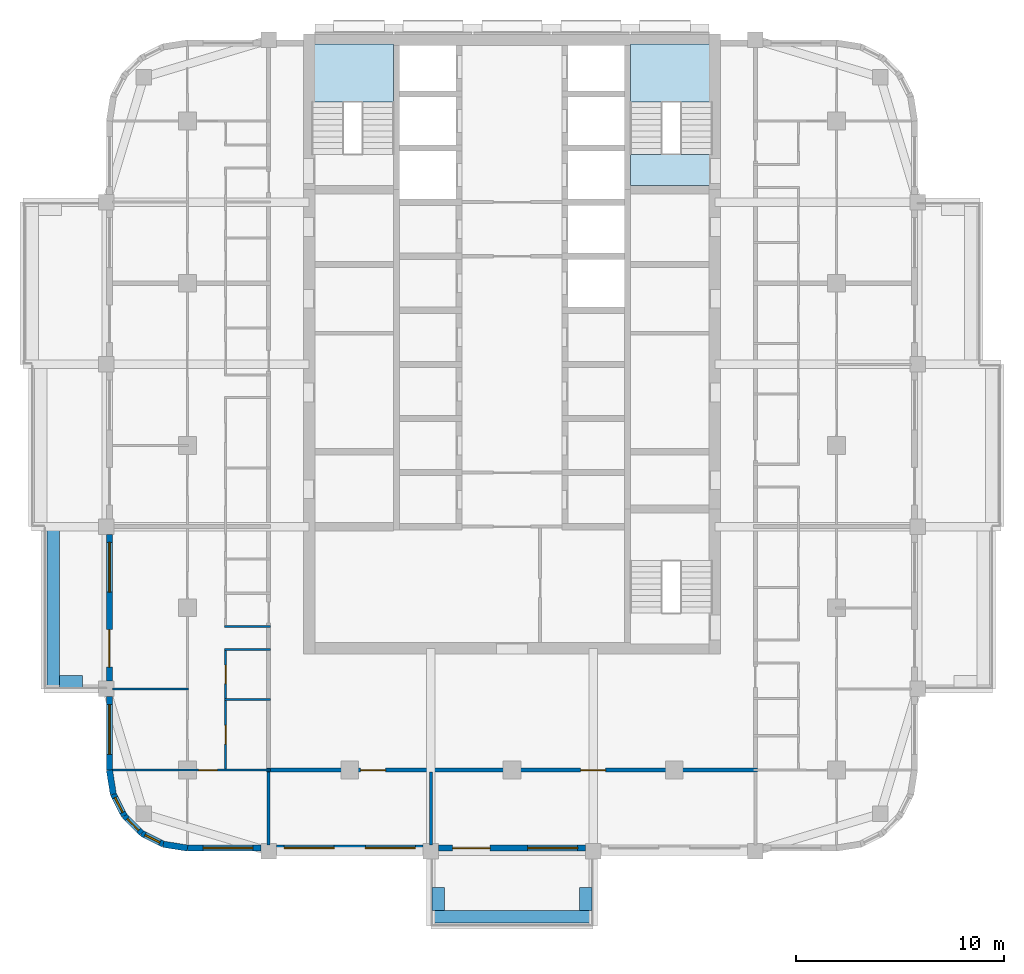
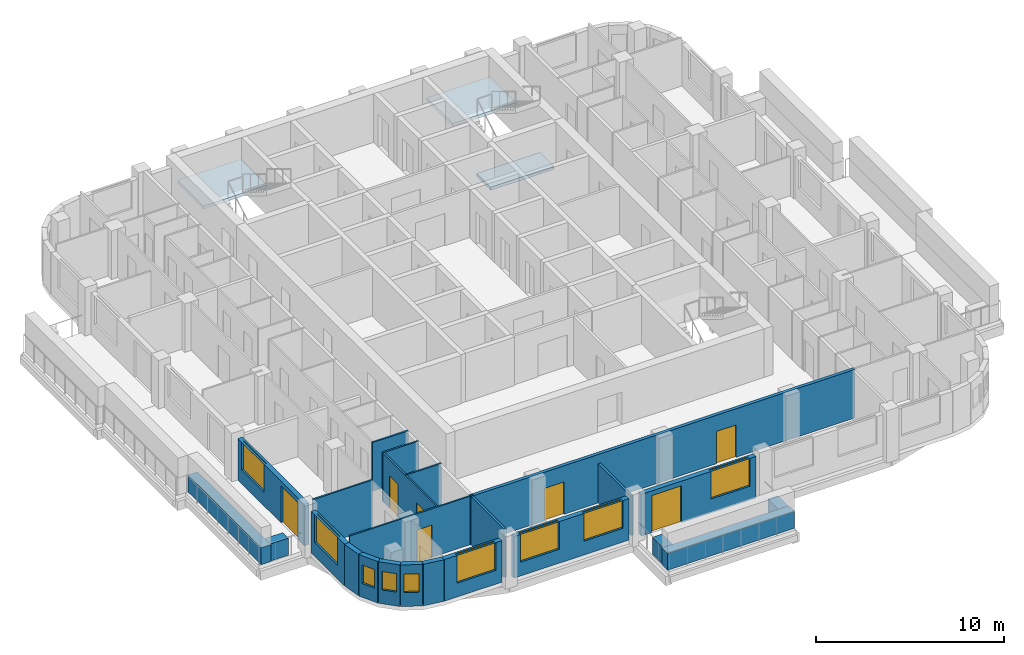
# One storey, part 2 of 13: 24 walls, 9 windows, 7 doors, 3 slabs, 16 openings, 2 elements without a shape of their own.
"""IFC4 building model written with IfcOpenShell, lengths in metres."""

from ifc_helpers import new_model, si_unit, direction, frame, frame_2d, origin, place, context, subcontext, project, spatial, polyline, rectangle, outline, extrude, material, layer, layer_set, type_object, element, fill, aggregate, save


model = new_model("IFC4")

# Units and contexts
model_context = context("Model", 3, precision=1e-05, world=origin(), true_north=direction((0.0, 1.0)))
body_context = subcontext(model_context, "Body", "Model", "MODEL_VIEW")
ifc_project = project(units=[si_unit("LENGTHUNIT", "METRE"), si_unit("AREAUNIT", "SQUARE_METRE"), si_unit("VOLUMEUNIT", "CUBIC_METRE"), si_unit("PLANEANGLEUNIT", "RADIAN"), si_unit("MASSUNIT", "GRAM", prefix="KILO")], contexts=[model_context])

# Site, building, storey
site_placement = place(None, origin())
site = spatial("IfcSite", under=ifc_project, at=site_placement, CompositionType="ELEMENT")
building_placement = place(site_placement, origin())
building = spatial("IfcBuilding", under=site, at=building_placement, Name="Ludao Terraces", CompositionType="ELEMENT")
storey_placement = place(building_placement, frame((0.0, 0.0, 165.60009765625)))
storey = spatial("IfcBuildingStorey", under=building, at=storey_placement, Name="L45", CompositionType="ELEMENT", Elevation=165.60009765625)

# Stair, slab
ifc_material_1 = material(Name="Concrete C40", Category="concrete")
stair_type = type_object("IfcStairType", Name="INT Stair", PredefinedType="HALF_TURN_STAIR", material=ifc_material_1)
stair_1_placement = place(storey_placement, origin())
stair_1 = element("IfcStair", 1, at=stair_1_placement, inside=storey, type_object=stair_type, Name="EXIT STAIR 1", PredefinedType="HALF_TURN_STAIR")
ifc_layer_1 = layer(ifc_material_1, 0.199951171875)
ifc_layer_set_1 = layer_set([ifc_layer_1], Name="INT Stair landing 200")
slab_type = type_object("IfcSlabType", Name="INT Stair landing 200", PredefinedType="LANDING", material=ifc_layer_set_1)
slab_1_placement = place(storey_placement, frame((0.0, 0.0, 1.5)))
slab_1 = element("IfcSlab", 2, at=slab_1_placement, type_object=slab_type, Name="ST1 landing 1", PredefinedType="LANDING", context=body_context, shape_type="SweptSolid", body=[
    extrude(outline(polyline([(75.39990234375, 81.52001953125), (79.300048828125, 81.52001953125), (79.300048828125, 84.300048828125), (75.39990234375, 84.300048828125), (75.39990234375, 81.52001953125)])), origin(), (0.0, 0.0, 1.0), 0.199951171875),
])
aggregate(stair_1, [slab_1])

# Stair, slabs
stair_2_placement = place(storey_placement, origin())
stair_2 = element("IfcStair", 3, at=stair_2_placement, inside=storey, type_object=stair_type, Name="EXIT STAIR 2", PredefinedType="HALF_TURN_STAIR")
slab_2_placement = place(storey_placement, frame((0.0, 0.0, 1.5)))
slab_2 = element("IfcSlab", 4, at=slab_2_placement, type_object=slab_type, Name="ST2 landing 1", PredefinedType="LANDING", context=body_context, shape_type="SweptSolid", body=[
    extrude(outline(polyline([(90.699951171875, 81.52001953125), (94.60009765625, 81.52001953125), (94.60009765625, 84.300048828125), (90.699951171875, 84.300048828125), (90.699951171875, 81.52001953125)])), origin(), (0.0, 0.0, 1.0), 0.199951171875),
])
slab_3_placement = place(storey_placement, frame((0.0, 0.0, -0.2001953125)))
slab_3 = element("IfcSlab", 5, at=slab_3_placement, type_object=slab_type, Name="ST2 landing 2", PredefinedType="LANDING", context=body_context, shape_type="SweptSolid", body=[
    extrude(outline(polyline([(90.699951171875, 77.5), (94.60009765625, 77.5), (94.60009765625, 79.0), (90.699951171875, 79.0), (90.699951171875, 77.5)])), origin(), (0.0, 0.0, 1.0), 0.2001953125),
])
aggregate(stair_2, [slab_2, slab_3])

# Walls
ifc_layer_2 = layer(ifc_material_1, 0.60009765625)
ifc_layer_set_2 = layer_set([ifc_layer_2], Name="ENV Planter trough 600")
wall_type_1 = type_object("IfcWallType", Name="ENV Planter trough 600", PredefinedType="USERDEFINED", material=ifc_layer_set_2)
wall_1_placement = place(storey_placement, frame((81.10009765625, 42.35009765625, 0.0), z_axis=(0.0, 0.0, 1.0), x_axis=(1.0, 0.0, 0.0)))
element("IfcWall", 6, at=wall_1_placement, inside=storey, type_object=wall_type_1, Name="PL-L45-S1", ObjectType="PLANTER", PredefinedType="USERDEFINED", context=body_context, shape_type="SweptSolid", body=[
    extrude(rectangle(XDim=7.7998046875, YDim=0.60009765625, at=frame_2d((3.89990234375, 0.0))), origin(), (0.0, 0.0, 1.0), 1.099853515625),
])
for number, where, z_axis, x_axis, name in (
    (7, (81.449951171875, 42.64990234375, 0.0), (0.0, 0.0, 1.0), (0.0, 1.0, 0.0), "PL-L45-S1-SA"),
    (8, (88.550048828125, 42.64990234375, 0.0), (0.0, 0.0, 1.0), (0.0, 1.0, 0.0), "PL-L45-S1-SB"),
):
    element("IfcWall", number, at=place(storey_placement, frame(where, z_axis=z_axis, x_axis=x_axis)), inside=storey, type_object=wall_type_1, Name=name, ObjectType="PLANTER", PredefinedType="USERDEFINED", context=body_context, shape_type="SweptSolid", body=[
        extrude(rectangle(XDim=1.10009765625, YDim=0.60009765625, at=frame_2d((0.550048828125, 0.0))), origin(), (0.0, 0.0, 1.0), 1.099853515625),
    ])
wall_2_placement = place(storey_placement, frame((62.949951171875, 53.300048828125, 0.0), z_axis=(0.0, 0.0, 1.0), x_axis=(0.0, 1.0, 0.0)))
element("IfcWall", 9, at=wall_2_placement, inside=storey, type_object=wall_type_1, Name="PL-L45-W1", ObjectType="PLANTER", PredefinedType="USERDEFINED", context=body_context, shape_type="SweptSolid", body=[
    extrude(rectangle(XDim=7.800048828125, YDim=0.60009765625, at=frame_2d((3.89990234375, 0.0))), origin(), (0.0, 0.0, 1.0), 1.099853515625),
])
wall_3_placement = place(storey_placement, frame((63.25, 53.64990234375, 0.0), z_axis=(0.0, 0.0, 1.0), x_axis=(1.0, 0.0, 0.0)))
element("IfcWall", 10, at=wall_3_placement, inside=storey, type_object=wall_type_1, Name="PL-L45-W1-SA", ObjectType="PLANTER", PredefinedType="USERDEFINED", context=body_context, shape_type="SweptSolid", body=[
    extrude(rectangle(XDim=1.10009765625, YDim=0.60009765625, at=frame_2d((0.550048828125, 0.0))), origin(), (0.0, 0.0, 1.0), 1.099853515625),
])

# Wall, opening, window
ifc_material_2 = material(Name="Granite cladding", Category="masonry")
ifc_layer_3 = layer(ifc_material_2, 0.0400390625, Category="stone")
ifc_material_3 = material(Name="Mineral wool")
ifc_layer_4 = layer(ifc_material_3, 0.06005859375)
ifc_layer_5 = layer(ifc_material_1, 0.199951171875, Category="concrete")
ifc_layer_set_3 = layer_set([ifc_layer_3, ifc_layer_4, ifc_layer_5], Name="ENV Stone-clad wall 300")
wall_type_2 = type_object("IfcWallType", Name="ENV Stone-clad wall 300", PredefinedType="SOLIDWALL", material=ifc_layer_set_3)
wall_4_placement = place(storey_placement, frame((69.39990234375, 45.64990234375, 0.0), z_axis=(0.0, 0.0, 1.0), x_axis=(1.0, 0.0, 0.0)))
wall_4 = element("IfcWall", 11, at=wall_4_placement, inside=storey, type_object=wall_type_2, Name="EW-L45-S1", PredefinedType="SOLIDWALL", context=body_context, shape_type="SweptSolid", body=[
    extrude(rectangle(XDim=3.525146484375, YDim=0.300048828125, at=frame_2d((1.7626953125, 0.0))), origin(), (0.0, 0.0, 1.0), 2.699951171875),
])
opening_1_placement = place(wall_4_placement, frame((0.75, 0.0, 0.89990234375)))
opening_1 = element("IfcOpeningElement", 12, at=opening_1_placement, cuts=wall_4, Name="Opening W1", PredefinedType="OPENING", context=body_context, shape_type="SweptSolid", body=[
    extrude(rectangle(XDim=2.39990234375, YDim=1.800048828125, at=frame_2d((1.199951171875, 0.89990234375))), frame((0.0, 0.16015625, 0.0), z_axis=(0.0, -1.0, 0.0), x_axis=(1.0, 0.0, 0.0)), (0.0, 0.0, 1.0), 0.320068359375),
])
ifc_material_4 = material(Name="Clear glass in aluminium frame", Category="aluminium")
ifc_layer_6 = layer(ifc_material_4, 0.06005859375)
ifc_layer_set_4 = layer_set([ifc_layer_6], Name="ENV Window W1 2400x1800")
window_type_1 = type_object("IfcWindowType", Name="ENV Window W1 2400x1800", PartitioningType="DOUBLE_PANEL_VERTICAL", PredefinedType="WINDOW", material=ifc_layer_set_4)
window_1_placement = place(opening_1_placement, origin())
window_1 = element("IfcWindow", 13, at=window_1_placement, inside=storey, type_object=window_type_1, Name="W-L45-S1-1", OverallHeight=1.800048828125, OverallWidth=2.39990234375, PartitioningType="DOUBLE_PANEL_VERTICAL", PredefinedType="WINDOW", context=body_context, shape_type="SweptSolid", body=[
    extrude(rectangle(XDim=2.39990234375, YDim=1.800048828125, at=frame_2d((1.199951171875, 0.89990234375))), frame((0.0, 0.030029296875, 0.0), z_axis=(0.0, -1.0, 0.0), x_axis=(1.0, 0.0, 0.0)), (0.0, 0.0, 1.0), 0.06005859375),
])
fill(opening_1, window_1)

# Wall, openings, windows
wall_5_placement = place(storey_placement, frame((73.675048828125, 45.64990234375, 0.0), z_axis=(0.0, 0.0, 1.0), x_axis=(1.0, 0.0, 0.0)))
wall_5 = element("IfcWall", 14, at=wall_5_placement, inside=storey, type_object=wall_type_2, Name="EW-L45-S2", PredefinedType="SOLIDWALL", context=body_context, shape_type="SweptSolid", body=[
    extrude(rectangle(XDim=7.050048828125, YDim=0.300048828125, at=frame_2d((3.52490234375, 0.0))), origin(), (0.0, 0.0, 1.0), 2.699951171875),
])
opening_2_placement = place(wall_5_placement, frame((0.375, 0.0, 0.89990234375)))
opening_2 = element("IfcOpeningElement", 15, at=opening_2_placement, cuts=wall_5, Name="Opening W1", PredefinedType="OPENING", context=body_context, shape_type="SweptSolid", body=[
    extrude(rectangle(XDim=2.39990234375, YDim=1.800048828125, at=frame_2d((1.199951171875, 0.89990234375))), frame((0.0, 0.16015625, 0.0), z_axis=(0.0, -1.0, 0.0), x_axis=(1.0, 0.0, 0.0)), (0.0, 0.0, 1.0), 0.320068359375),
])
opening_3_placement = place(wall_5_placement, frame((4.27490234375, 0.0, 0.89990234375)))
opening_3 = element("IfcOpeningElement", 16, at=opening_3_placement, cuts=wall_5, Name="Opening W1", PredefinedType="OPENING", context=body_context, shape_type="SweptSolid", body=[
    extrude(rectangle(XDim=2.39990234375, YDim=1.800048828125, at=frame_2d((1.199951171875, 0.89990234375))), frame((0.0, 0.16015625, 0.0), z_axis=(0.0, -1.0, 0.0), x_axis=(1.0, 0.0, 0.0)), (0.0, 0.0, 1.0), 0.320068359375),
])
window_2_placement = place(opening_2_placement, origin())
window_2 = element("IfcWindow", 17, at=window_2_placement, inside=storey, type_object=window_type_1, Name="W-L45-S2-1", OverallHeight=1.800048828125, OverallWidth=2.39990234375, PartitioningType="DOUBLE_PANEL_VERTICAL", PredefinedType="WINDOW", context=body_context, shape_type="SweptSolid", body=[
    extrude(rectangle(XDim=2.39990234375, YDim=1.800048828125, at=frame_2d((1.199951171875, 0.89990234375))), frame((0.0, 0.030029296875, 0.0), z_axis=(0.0, -1.0, 0.0), x_axis=(1.0, 0.0, 0.0)), (0.0, 0.0, 1.0), 0.06005859375),
])
fill(opening_2, window_2)
window_3_placement = place(opening_3_placement, origin())
window_3 = element("IfcWindow", 18, at=window_3_placement, inside=storey, type_object=window_type_1, Name="W-L45-S2-2", OverallHeight=1.800048828125, OverallWidth=2.39990234375, PartitioningType="DOUBLE_PANEL_VERTICAL", PredefinedType="WINDOW", context=body_context, shape_type="SweptSolid", body=[
    extrude(rectangle(XDim=2.39990234375, YDim=1.800048828125, at=frame_2d((1.199951171875, 0.89990234375))), frame((0.0, 0.030029296875, 0.0), z_axis=(0.0, -1.0, 0.0), x_axis=(1.0, 0.0, 0.0)), (0.0, 0.0, 1.0), 0.06005859375),
])
fill(opening_3, window_3)

# Wall, openings, door, window
wall_6_placement = place(storey_placement, frame((81.47509765625, 45.64990234375, 0.0), z_axis=(0.0, 0.0, 1.0), x_axis=(1.0, 0.0, 0.0)))
wall_6 = element("IfcWall", 19, at=wall_6_placement, inside=storey, type_object=wall_type_2, Name="EW-L45-S3", PredefinedType="SOLIDWALL", context=body_context, shape_type="SweptSolid", body=[
    extrude(rectangle(XDim=7.0498046875, YDim=0.300048828125, at=frame_2d((3.52490234375, 0.0))), origin(), (0.0, 0.0, 1.0), 2.699951171875),
])
opening_4_placement = place(wall_6_placement, frame((0.675048828125, 0.0, 0.0)))
opening_4 = element("IfcOpeningElement", 20, at=opening_4_placement, cuts=wall_6, Name="Opening BD", PredefinedType="OPENING", context=body_context, shape_type="SweptSolid", body=[
    extrude(rectangle(XDim=1.800048828125, YDim=2.39990234375, at=frame_2d((0.89990234375, 1.199951171875))), frame((0.0, 0.16015625, 0.0), z_axis=(0.0, -1.0, 0.0), x_axis=(1.0, 0.0, 0.0)), (0.0, 0.0, 1.0), 0.320068359375),
])
opening_5_placement = place(wall_6_placement, frame((4.27490234375, 0.0, 0.89990234375)))
opening_5 = element("IfcOpeningElement", 21, at=opening_5_placement, cuts=wall_6, Name="Opening W1", PredefinedType="OPENING", context=body_context, shape_type="SweptSolid", body=[
    extrude(rectangle(XDim=2.39990234375, YDim=1.800048828125, at=frame_2d((1.199951171875, 0.89990234375))), frame((0.0, 0.16015625, 0.0), z_axis=(0.0, -1.0, 0.0), x_axis=(1.0, 0.0, 0.0)), (0.0, 0.0, 1.0), 0.320068359375),
])
ifc_material_5 = material(Name="Aluminium glazed door", Category="aluminium")
ifc_layer_7 = layer(ifc_material_5, 0.06005859375)
ifc_layer_set_5 = layer_set([ifc_layer_7], Name="ENV Balcony door BD 1800x2400")
door_type_1 = type_object("IfcDoorType", Name="ENV Balcony door BD 1800x2400", OperationType="DOUBLE_DOOR_SINGLE_SWING", PredefinedType="DOOR", material=ifc_layer_set_5)
door_1_placement = place(opening_4_placement, origin())
door_1 = element("IfcDoor", 22, at=door_1_placement, inside=storey, type_object=door_type_1, Name="BD-L45-S3-1", OperationType="DOUBLE_DOOR_SINGLE_SWING", OverallHeight=2.39990234375, OverallWidth=1.800048828125, PredefinedType="DOOR", context=body_context, shape_type="SweptSolid", body=[
    extrude(rectangle(XDim=1.800048828125, YDim=2.39990234375, at=frame_2d((0.89990234375, 1.199951171875))), frame((0.0, 0.02490234375, 0.0), z_axis=(0.0, -1.0, 0.0), x_axis=(1.0, 0.0, 0.0)), (0.0, 0.0, 1.0), 0.050048828125),
])
fill(opening_4, door_1)
window_4_placement = place(opening_5_placement, origin())
window_4 = element("IfcWindow", 23, at=window_4_placement, inside=storey, type_object=window_type_1, Name="W-L45-S3-2", OverallHeight=1.800048828125, OverallWidth=2.39990234375, PartitioningType="DOUBLE_PANEL_VERTICAL", PredefinedType="WINDOW", context=body_context, shape_type="SweptSolid", body=[
    extrude(rectangle(XDim=2.39990234375, YDim=1.800048828125, at=frame_2d((1.199951171875, 0.89990234375))), frame((0.0, 0.030029296875, 0.0), z_axis=(0.0, -1.0, 0.0), x_axis=(1.0, 0.0, 0.0)), (0.0, 0.0, 1.0), 0.06005859375),
])
fill(opening_5, window_4)

# Wall, opening, window
wall_7_placement = place(storey_placement, frame((65.64990234375, 49.39990234375, 0.0), z_axis=(0.0, 0.0, 1.0), x_axis=(0.0, 1.0, 0.0)))
wall_7 = element("IfcWall", 24, at=wall_7_placement, inside=storey, type_object=wall_type_2, Name="EW-L45-W1", PredefinedType="SOLIDWALL", context=body_context, shape_type="SweptSolid", body=[
    extrude(rectangle(XDim=3.525146484375, YDim=0.300048828125, at=frame_2d((1.7626953125, 0.0))), origin(), (0.0, 0.0, 1.0), 2.699951171875),
])
opening_6_placement = place(wall_7_placement, frame((0.75, 0.0, 0.89990234375)))
opening_6 = element("IfcOpeningElement", 25, at=opening_6_placement, cuts=wall_7, Name="Opening W1", PredefinedType="OPENING", context=body_context, shape_type="SweptSolid", body=[
    extrude(rectangle(XDim=2.39990234375, YDim=1.800048828125, at=frame_2d((1.199951171875, 0.89990234375))), frame((0.0, 0.16015625, 0.0), z_axis=(0.0, -1.0, 0.0), x_axis=(1.0, 0.0, 0.0)), (0.0, 0.0, 1.0), 0.320068359375),
])
window_5_placement = place(opening_6_placement, origin())
window_5 = element("IfcWindow", 26, at=window_5_placement, inside=storey, type_object=window_type_1, Name="W-L45-W1-1", OverallHeight=1.800048828125, OverallWidth=2.39990234375, PartitioningType="DOUBLE_PANEL_VERTICAL", PredefinedType="WINDOW", context=body_context, shape_type="SweptSolid", body=[
    extrude(rectangle(XDim=2.39990234375, YDim=1.800048828125, at=frame_2d((1.199951171875, 0.89990234375))), frame((0.0, 0.030029296875, 0.0), z_axis=(0.0, -1.0, 0.0), x_axis=(1.0, 0.0, 0.0)), (0.0, 0.0, 1.0), 0.06005859375),
])
fill(opening_6, window_5)

# Wall, openings, door, window
wall_8_placement = place(storey_placement, frame((65.64990234375, 53.675048828125, 0.0), z_axis=(0.0, 0.0, 1.0), x_axis=(0.0, 1.0, 0.0)))
wall_8 = element("IfcWall", 27, at=wall_8_placement, inside=storey, type_object=wall_type_2, Name="EW-L45-W2", PredefinedType="SOLIDWALL", context=body_context, shape_type="SweptSolid", body=[
    extrude(rectangle(XDim=7.050048828125, YDim=0.300048828125, at=frame_2d((3.52490234375, 0.0))), origin(), (0.0, 0.0, 1.0), 2.699951171875),
])
opening_7_placement = place(wall_8_placement, frame((0.675048828125, 0.0, 0.0)))
opening_7 = element("IfcOpeningElement", 28, at=opening_7_placement, cuts=wall_8, Name="Opening BD", PredefinedType="OPENING", context=body_context, shape_type="SweptSolid", body=[
    extrude(rectangle(XDim=1.800048828125, YDim=2.39990234375, at=frame_2d((0.89990234375, 1.199951171875))), frame((0.0, 0.16015625, 0.0), z_axis=(0.0, -1.0, 0.0), x_axis=(1.0, 0.0, 0.0)), (0.0, 0.0, 1.0), 0.320068359375),
])
opening_8_placement = place(wall_8_placement, frame((4.27490234375, 0.0, 0.89990234375)))
opening_8 = element("IfcOpeningElement", 29, at=opening_8_placement, cuts=wall_8, Name="Opening W1", PredefinedType="OPENING", context=body_context, shape_type="SweptSolid", body=[
    extrude(rectangle(XDim=2.39990234375, YDim=1.800048828125, at=frame_2d((1.199951171875, 0.89990234375))), frame((0.0, 0.16015625, 0.0), z_axis=(0.0, -1.0, 0.0), x_axis=(1.0, 0.0, 0.0)), (0.0, 0.0, 1.0), 0.320068359375),
])
door_2_placement = place(opening_7_placement, origin())
door_2 = element("IfcDoor", 30, at=door_2_placement, inside=storey, type_object=door_type_1, Name="BD-L45-W2-1", OperationType="DOUBLE_DOOR_SINGLE_SWING", OverallHeight=2.39990234375, OverallWidth=1.800048828125, PredefinedType="DOOR", context=body_context, shape_type="SweptSolid", body=[
    extrude(rectangle(XDim=1.800048828125, YDim=2.39990234375, at=frame_2d((0.89990234375, 1.199951171875))), frame((0.0, 0.02490234375, 0.0), z_axis=(0.0, -1.0, 0.0), x_axis=(1.0, 0.0, 0.0)), (0.0, 0.0, 1.0), 0.050048828125),
])
fill(opening_7, door_2)
window_6_placement = place(opening_8_placement, origin())
window_6 = element("IfcWindow", 31, at=window_6_placement, inside=storey, type_object=window_type_1, Name="W-L45-W2-2", OverallHeight=1.800048828125, OverallWidth=2.39990234375, PartitioningType="DOUBLE_PANEL_VERTICAL", PredefinedType="WINDOW", context=body_context, shape_type="SweptSolid", body=[
    extrude(rectangle(XDim=2.39990234375, YDim=1.800048828125, at=frame_2d((1.199951171875, 0.89990234375))), frame((0.0, 0.030029296875, 0.0), z_axis=(0.0, -1.0, 0.0), x_axis=(1.0, 0.0, 0.0)), (0.0, 0.0, 1.0), 0.06005859375),
])
fill(opening_8, window_6)

# Wall
wall_9_placement = place(storey_placement, frame((65.64990234375, 49.39990234375, 0.0), z_axis=(0.0, 0.0, 1.0), x_axis=(0.156496880861, -0.987678452879, 0.0)))
element("IfcWall", 32, at=wall_9_placement, inside=storey, type_object=wall_type_2, Name="EW-L45-SW1", PredefinedType="SOLIDWALL", context=body_context, shape_type="SweptSolid", body=[
    extrude(rectangle(XDim=1.173095703125, YDim=0.300048828125, at=frame_2d((0.58642578125, 0.0))), origin(), (0.0, 0.0, 1.0), 2.699951171875),
])

# Wall, opening, window
wall_10_placement = place(storey_placement, frame((65.83349609375, 48.2412109375, 0.0), z_axis=(0.0, 0.0, 1.0), x_axis=(0.454025524128, -0.890988677504, 0.0)))
wall_10 = element("IfcWall", 33, at=wall_10_placement, inside=storey, type_object=wall_type_2, Name="EW-L45-SW2", PredefinedType="SOLIDWALL", context=body_context, shape_type="SweptSolid", body=[
    extrude(rectangle(XDim=1.17333984375, YDim=0.300048828125, at=frame_2d((0.586669921875, 0.0))), origin(), (0.0, 0.0, 1.0), 2.699951171875),
])
opening_9_placement = place(wall_10_placement, frame((0.1865234375, 0.0, 0.89990234375)))
opening_9 = element("IfcOpeningElement", 34, at=opening_9_placement, cuts=wall_10, Name="Opening W3", PredefinedType="OPENING", context=body_context, shape_type="SweptSolid", body=[
    extrude(rectangle(XDim=0.800048828125, YDim=1.199951171875, at=frame_2d((0.39990234375, 0.60009765625))), frame((0.0, 0.16015625, 0.0), z_axis=(0.0, -1.0, 0.0), x_axis=(1.0, 0.0, 0.0)), (0.0, 0.0, 1.0), 0.320068359375),
])
ifc_layer_8 = layer(ifc_material_4, 0.06005859375)
ifc_layer_set_6 = layer_set([ifc_layer_8], Name="ENV Window W3 800x1200")
window_type_2 = type_object("IfcWindowType", Name="ENV Window W3 800x1200", PartitioningType="SINGLE_PANEL", PredefinedType="WINDOW", material=ifc_layer_set_6)
window_7_placement = place(opening_9_placement, origin())
window_7 = element("IfcWindow", 35, at=window_7_placement, inside=storey, type_object=window_type_2, Name="W-L45-SW2", OverallHeight=1.199951171875, OverallWidth=0.800048828125, PartitioningType="SINGLE_PANEL", PredefinedType="WINDOW", context=body_context, shape_type="SweptSolid", body=[
    extrude(rectangle(XDim=0.800048828125, YDim=1.199951171875, at=frame_2d((0.39990234375, 0.60009765625))), frame((0.0, 0.030029296875, 0.0), z_axis=(0.0, -1.0, 0.0), x_axis=(1.0, 0.0, 0.0)), (0.0, 0.0, 1.0), 0.06005859375),
])
fill(opening_9, window_7)

wall_11_placement = place(storey_placement, frame((66.3662109375, 47.19580078125, 0.0), z_axis=(0.0, 0.0, 1.0), x_axis=(0.707106781187, -0.707106781187, 0.0)))
wall_11 = element("IfcWall", 36, at=wall_11_placement, inside=storey, type_object=wall_type_2, Name="EW-L45-SW3", PredefinedType="SOLIDWALL", context=body_context, shape_type="SweptSolid", body=[
    extrude(rectangle(XDim=1.173095703125, YDim=0.300048828125, at=frame_2d((0.58642578125, 0.0))), origin(), (0.0, 0.0, 1.0), 2.699951171875),
])
opening_10_placement = place(wall_11_placement, frame((0.1865234375, 0.0, 0.89990234375)))
opening_10 = element("IfcOpeningElement", 37, at=opening_10_placement, cuts=wall_11, Name="Opening W3", PredefinedType="OPENING", context=body_context, shape_type="SweptSolid", body=[
    extrude(rectangle(XDim=0.800048828125, YDim=1.199951171875, at=frame_2d((0.39990234375, 0.60009765625))), frame((0.0, 0.16015625, 0.0), z_axis=(0.0, -1.0, 0.0), x_axis=(1.0, 0.0, 0.0)), (0.0, 0.0, 1.0), 0.320068359375),
])
window_8_placement = place(opening_10_placement, origin())
window_8 = element("IfcWindow", 38, at=window_8_placement, inside=storey, type_object=window_type_2, Name="W-L45-SW3", OverallHeight=1.199951171875, OverallWidth=0.800048828125, PartitioningType="SINGLE_PANEL", PredefinedType="WINDOW", context=body_context, shape_type="SweptSolid", body=[
    extrude(rectangle(XDim=0.800048828125, YDim=1.199951171875, at=frame_2d((0.39990234375, 0.60009765625))), frame((0.0, 0.030029296875, 0.0), z_axis=(0.0, -1.0, 0.0), x_axis=(1.0, 0.0, 0.0)), (0.0, 0.0, 1.0), 0.06005859375),
])
fill(opening_10, window_8)

wall_12_placement = place(storey_placement, frame((67.19580078125, 46.3662109375, 0.0), z_axis=(0.0, 0.0, 1.0), x_axis=(0.890988677504, -0.454025524128, 0.0)))
wall_12 = element("IfcWall", 39, at=wall_12_placement, inside=storey, type_object=wall_type_2, Name="EW-L45-SW4", PredefinedType="SOLIDWALL", context=body_context, shape_type="SweptSolid", body=[
    extrude(rectangle(XDim=1.17333984375, YDim=0.300048828125, at=frame_2d((0.586669921875, 0.0))), origin(), (0.0, 0.0, 1.0), 2.699951171875),
])
opening_11_placement = place(wall_12_placement, frame((0.1865234375, 0.0, 0.89990234375)))
opening_11 = element("IfcOpeningElement", 40, at=opening_11_placement, cuts=wall_12, Name="Opening W3", PredefinedType="OPENING", context=body_context, shape_type="SweptSolid", body=[
    extrude(rectangle(XDim=0.800048828125, YDim=1.199951171875, at=frame_2d((0.39990234375, 0.60009765625))), frame((0.0, 0.16015625, 0.0), z_axis=(0.0, -1.0, 0.0), x_axis=(1.0, 0.0, 0.0)), (0.0, 0.0, 1.0), 0.320068359375),
])
window_9_placement = place(opening_11_placement, origin())
window_9 = element("IfcWindow", 41, at=window_9_placement, inside=storey, type_object=window_type_2, Name="W-L45-SW4", OverallHeight=1.199951171875, OverallWidth=0.800048828125, PartitioningType="SINGLE_PANEL", PredefinedType="WINDOW", context=body_context, shape_type="SweptSolid", body=[
    extrude(rectangle(XDim=0.800048828125, YDim=1.199951171875, at=frame_2d((0.39990234375, 0.60009765625))), frame((0.0, 0.030029296875, 0.0), z_axis=(0.0, -1.0, 0.0), x_axis=(1.0, 0.0, 0.0)), (0.0, 0.0, 1.0), 0.06005859375),
])
fill(opening_11, window_9)

# Wall
wall_13_placement = place(storey_placement, frame((68.2412109375, 45.83349609375, 0.0), z_axis=(0.0, 0.0, 1.0), x_axis=(0.987678452879, -0.156496880861, 0.0)))
element("IfcWall", 42, at=wall_13_placement, inside=storey, type_object=wall_type_2, Name="EW-L45-SW5", PredefinedType="SOLIDWALL", context=body_context, shape_type="SweptSolid", body=[
    extrude(rectangle(XDim=1.173095703125, YDim=0.300048828125, at=frame_2d((0.58642578125, 0.0))), origin(), (0.0, 0.0, 1.0), 2.699951171875),
])

# Wall, openings, doors
ifc_material_6 = material(Name="Autoclaved aerated concrete block B06 A3.5", Category="concrete")
ifc_layer_9 = layer(ifc_material_6, 0.199951171875)
ifc_layer_set_7 = layer_set([ifc_layer_9], Name="INT Entrance wall 200")
wall_type_3 = type_object("IfcWallType", Name="INT Entrance wall 200", PredefinedType="PARTITIONING", material=ifc_layer_set_7)
wall_14_placement = place(storey_placement, frame((73.2001953125, 49.39990234375, 0.0), z_axis=(0.0, 0.0, 1.0), x_axis=(1.0, 0.0, 0.0)))
wall_14 = element("IfcWall", 43, at=wall_14_placement, inside=storey, type_object=wall_type_3, Name="PW-L45-PW001", PredefinedType="PARTITIONING", context=body_context, shape_type="SweptSolid", body=[
    extrude(rectangle(XDim=23.599853515625, YDim=0.199951171875, at=frame_2d((11.7998046875, 0.0))), origin(), (0.0, 0.0, 1.0), 3.14990234375),
])
opening_12_placement = place(wall_14_placement, frame((4.52490234375, 0.0, 0.0)))
opening_12 = element("IfcOpeningElement", 44, at=opening_12_placement, cuts=wall_14, Name="Opening R15-004", PredefinedType="OPENING", context=body_context, shape_type="SweptSolid", body=[
    extrude(rectangle(XDim=1.199951171875, YDim=2.10009765625, at=frame_2d((0.60009765625, 1.050048828125))), frame((0.0, 0.10986328125, 0.0), z_axis=(0.0, -1.0, 0.0), x_axis=(1.0, 0.0, 0.0)), (0.0, 0.0, 1.0), 0.219970703125),
])
opening_13_placement = place(wall_14_placement, frame((15.099853515625, 0.0, 0.0)))
opening_13 = element("IfcOpeningElement", 45, at=opening_13_placement, cuts=wall_14, Name="Opening R15-005", PredefinedType="OPENING", context=body_context, shape_type="SweptSolid", body=[
    extrude(rectangle(XDim=1.199951171875, YDim=2.10009765625, at=frame_2d((0.60009765625, 1.050048828125))), frame((0.0, 0.10986328125, 0.0), z_axis=(0.0, -1.0, 0.0), x_axis=(1.0, 0.0, 0.0)), (0.0, 0.0, 1.0), 0.219970703125),
])
ifc_material_7 = material(Name="Timber door leaf", Category="wood")
door_type_2 = type_object("IfcDoorType", Name="INT Double door 1200", OperationType="DOUBLE_DOOR_SINGLE_SWING", PredefinedType="DOOR", material=ifc_material_7)
door_3_placement = place(opening_12_placement, origin())
door_3 = element("IfcDoor", 46, at=door_3_placement, inside=storey, type_object=door_type_2, Name="DOOR 004", OperationType="DOUBLE_DOOR_SINGLE_SWING", OverallHeight=2.10009765625, OverallWidth=1.199951171875, PredefinedType="DOOR", context=body_context, shape_type="SweptSolid", body=[
    extrude(rectangle(XDim=1.199951171875, YDim=2.10009765625, at=frame_2d((0.60009765625, 1.050048828125))), frame((0.0, 0.02490234375, 0.0), z_axis=(0.0, -1.0, 0.0), x_axis=(1.0, 0.0, 0.0)), (0.0, 0.0, 1.0), 0.050048828125),
])
fill(opening_12, door_3)
door_4_placement = place(opening_13_placement, origin())
door_4 = element("IfcDoor", 47, at=door_4_placement, inside=storey, type_object=door_type_2, Name="DOOR 005", OperationType="DOUBLE_DOOR_SINGLE_SWING", OverallHeight=2.10009765625, OverallWidth=1.199951171875, PredefinedType="DOOR", context=body_context, shape_type="SweptSolid", body=[
    extrude(rectangle(XDim=1.199951171875, YDim=2.10009765625, at=frame_2d((0.60009765625, 1.050048828125))), frame((0.0, 0.02490234375, 0.0), z_axis=(0.0, -1.0, 0.0), x_axis=(1.0, 0.0, 0.0)), (0.0, 0.0, 1.0), 0.050048828125),
])
fill(opening_13, door_4)

# Wall, opening, door
ifc_material_8 = material(Name="Gypsum plasterboard", Category="gypsum")
ifc_layer_10 = layer(ifc_material_8, 0.012451171875, Category="gypsum")
ifc_layer_11 = layer(ifc_material_3, 0.06005859375, Name="insulation")
ifc_material_9 = material(Name="Steel Q235", Category="steel")
ifc_layer_12 = layer(ifc_material_9, 0.014892578125, Name="stud")
ifc_layer_13 = layer(ifc_material_8, 0.012451171875, Category="gypsum")
ifc_layer_set_8 = layer_set([ifc_layer_10, ifc_layer_11, ifc_layer_12, ifc_layer_13], Name="INT Partition 100")
wall_type_4 = type_object("IfcWallType", Name="INT Partition 100", PredefinedType="PARTITIONING", material=ifc_layer_set_8)
wall_15_placement = place(storey_placement, frame((65.800048828125, 49.39990234375, 0.0), z_axis=(0.0, 0.0, 1.0), x_axis=(1.0, 0.0, 0.0)))
wall_15 = element("IfcWall", 48, at=wall_15_placement, inside=storey, type_object=wall_type_4, Name="PW-L45-PW000", PredefinedType="PARTITIONING", context=body_context, shape_type="SweptSolid", body=[
    extrude(rectangle(XDim=7.60009765625, YDim=0.10009765625, at=frame_2d((3.800048828125, 0.0))), origin(), (0.0, 0.0, 1.0), 3.14990234375),
])
opening_14_placement = place(wall_15_placement, frame((4.139892578125, 0.0, 0.0)))
opening_14 = element("IfcOpeningElement", 49, at=opening_14_placement, cuts=wall_15, Name="Opening R15-003", PredefinedType="OPENING", context=body_context, shape_type="SweptSolid", body=[
    extrude(rectangle(XDim=0.89990234375, YDim=2.10009765625, at=frame_2d((0.449951171875, 1.050048828125))), frame((0.0, 0.06005859375, 0.0), z_axis=(0.0, -1.0, 0.0), x_axis=(1.0, 0.0, 0.0)), (0.0, 0.0, 1.0), 0.1201171875),
])
door_type_3 = type_object("IfcDoorType", Name="INT Room door 900", OperationType="SINGLE_SWING_LEFT", PredefinedType="DOOR", material=ifc_material_7)
door_5_placement = place(opening_14_placement, origin())
door_5 = element("IfcDoor", 50, at=door_5_placement, inside=storey, type_object=door_type_3, Name="DOOR 003", OperationType="SINGLE_SWING_RIGHT", OverallHeight=2.10009765625, OverallWidth=0.89990234375, PredefinedType="DOOR", context=body_context, shape_type="SweptSolid", body=[
    extrude(rectangle(XDim=0.89990234375, YDim=2.10009765625, at=frame_2d((0.449951171875, 1.050048828125))), frame((0.0, 0.02490234375, 0.0), z_axis=(0.0, -1.0, 0.0), x_axis=(1.0, 0.0, 0.0)), (0.0, 0.0, 1.0), 0.050048828125),
])
fill(opening_14, door_5)

# Walls
wall_16_placement = place(storey_placement, frame((71.18017578125, 52.800048828125, 0.0), z_axis=(0.0, 0.0, 1.0), x_axis=(1.0, 0.0, 0.0)))
element("IfcWall", 51, at=wall_16_placement, inside=storey, type_object=wall_type_4, Name="PW-L45-PW004", PredefinedType="PARTITIONING", context=body_context, shape_type="SweptSolid", body=[
    extrude(rectangle(XDim=2.219970703125, YDim=0.10009765625, at=frame_2d((1.10986328125, 0.0))), origin(), (0.0, 0.0, 1.0), 3.14990234375),
])
wall_17_placement = place(storey_placement, frame((65.800048828125, 53.300048828125, 0.0), z_axis=(0.0, 0.0, 1.0), x_axis=(1.0, 0.0, 0.0)))
element("IfcWall", 52, at=wall_17_placement, inside=storey, type_object=wall_type_4, Name="PW-L45-PW006", PredefinedType="PARTITIONING", context=body_context, shape_type="SweptSolid", body=[
    extrude(rectangle(XDim=3.650146484375, YDim=0.10009765625, at=frame_2d((1.8251953125, 0.0))), origin(), (0.0, 0.0, 1.0), 3.14990234375),
])
for number, where, z_axis, x_axis, name in (
    (53, (71.18017578125, 55.199951171875, 0.0), (0.0, 0.0, 1.0), (1.0, 0.0, 0.0), "PW-L45-PW009"),
    (54, (71.18017578125, 56.300048828125, 0.0), (0.0, 0.0, 1.0), (1.0, 0.0, 0.0), "PW-L45-PW011"),
):
    element("IfcWall", number, at=place(storey_placement, frame(where, z_axis=z_axis, x_axis=x_axis)), inside=storey, type_object=wall_type_4, Name=name, PredefinedType="PARTITIONING", context=body_context, shape_type="SweptSolid", body=[
        extrude(rectangle(XDim=2.219970703125, YDim=0.10009765625, at=frame_2d((1.10986328125, 0.0))), origin(), (0.0, 0.0, 1.0), 3.14990234375),
    ])

# Wall, openings, doors
wall_18_placement = place(storey_placement, frame((71.22998046875, 49.4501953125, 0.0), z_axis=(0.0, 0.0, 1.0), x_axis=(0.0, 1.0, 0.0)))
wall_18 = element("IfcWall", 55, at=wall_18_placement, inside=storey, type_object=wall_type_4, Name="PW-L45-PW047", PredefinedType="PARTITIONING", context=body_context, shape_type="SweptSolid", body=[
    extrude(rectangle(XDim=5.699951171875, YDim=0.10009765625, at=frame_2d((2.85009765625, 0.0))), origin(), (0.0, 0.0, 1.0), 3.14990234375),
])
opening_15_placement = place(wall_18_placement, frame((1.199951171875, 0.0, 0.0)))
opening_15 = element("IfcOpeningElement", 56, at=opening_15_placement, cuts=wall_18, Name="Opening R15-008", PredefinedType="OPENING", context=body_context, shape_type="SweptSolid", body=[
    extrude(rectangle(XDim=0.89990234375, YDim=2.10009765625, at=frame_2d((0.449951171875, 1.050048828125))), frame((0.0, 0.06005859375, 0.0), z_axis=(0.0, -1.0, 0.0), x_axis=(1.0, 0.0, 0.0)), (0.0, 0.0, 1.0), 0.1201171875),
])
opening_16_placement = place(wall_18_placement, frame((4.099853515625, 0.0, 0.0)))
opening_16 = element("IfcOpeningElement", 57, at=opening_16_placement, cuts=wall_18, Name="Opening R15-014", PredefinedType="OPENING", context=body_context, shape_type="SweptSolid", body=[
    extrude(rectangle(XDim=0.89990234375, YDim=2.10009765625, at=frame_2d((0.449951171875, 1.050048828125))), frame((0.0, 0.06005859375, 0.0), z_axis=(0.0, -1.0, 0.0), x_axis=(1.0, 0.0, 0.0)), (0.0, 0.0, 1.0), 0.1201171875),
])
door_type_4 = type_object("IfcDoorType", Name="INT Bathroom door 900", OperationType="SINGLE_SWING_LEFT", PredefinedType="DOOR", material=ifc_material_7)
door_6_placement = place(opening_16_placement, origin())
door_6 = element("IfcDoor", 58, at=door_6_placement, inside=storey, type_object=door_type_4, Name="DOOR 014", OperationType="SINGLE_SWING_RIGHT", OverallHeight=2.10009765625, OverallWidth=0.89990234375, PredefinedType="DOOR", context=body_context, shape_type="SweptSolid", body=[
    extrude(rectangle(XDim=0.89990234375, YDim=2.10009765625, at=frame_2d((0.449951171875, 1.050048828125))), frame((0.0, 0.02490234375, 0.0), z_axis=(0.0, -1.0, 0.0), x_axis=(1.0, 0.0, 0.0)), (0.0, 0.0, 1.0), 0.050048828125),
])
fill(opening_16, door_6)
door_7_placement = place(opening_15_placement, origin())
door_7 = element("IfcDoor", 59, at=door_7_placement, inside=storey, type_object=door_type_3, Name="DOOR 008", OperationType="SINGLE_SWING_LEFT", OverallHeight=2.10009765625, OverallWidth=0.89990234375, PredefinedType="DOOR", context=body_context, shape_type="SweptSolid", body=[
    extrude(rectangle(XDim=0.89990234375, YDim=2.10009765625, at=frame_2d((0.449951171875, 1.050048828125))), frame((0.0, 0.02490234375, 0.0), z_axis=(0.0, -1.0, 0.0), x_axis=(1.0, 0.0, 0.0)), (0.0, 0.0, 1.0), 0.050048828125),
])
fill(opening_15, door_7)

# Walls
ifc_layer_14 = layer(ifc_material_6, 0.14990234375)
ifc_layer_set_9 = layer_set([ifc_layer_14], Name="INT Party wall 150")
wall_type_5 = type_object("IfcWallType", Name="INT Party wall 150", PredefinedType="PARTITIONING", material=ifc_layer_set_9)
wall_19_placement = place(storey_placement, frame((73.300048828125, 45.800048828125, 0.0), z_axis=(0.0, 0.0, 1.0), x_axis=(0.0, 1.0, 0.0)))
element("IfcWall", 60, at=wall_19_placement, inside=storey, type_object=wall_type_5, Name="PW-L45-PW051", PredefinedType="PARTITIONING", context=body_context, shape_type="SweptSolid", body=[
    extrude(rectangle(XDim=3.5, YDim=0.14990234375, at=frame_2d((1.75, 0.0))), origin(), (0.0, 0.0, 1.0), 3.14990234375),
])
wall_20_placement = place(storey_placement, frame((81.10009765625, 45.800048828125, 0.0), z_axis=(0.0, 0.0, 1.0), x_axis=(0.0, 1.0, 0.0)))
element("IfcWall", 61, at=wall_20_placement, inside=storey, type_object=wall_type_5, Name="PW-L45-PW053", PredefinedType="PARTITIONING", context=body_context, shape_type="SweptSolid", body=[
    extrude(rectangle(XDim=3.5, YDim=0.14990234375, at=frame_2d((1.75, 0.0))), origin(), (0.0, 0.0, 1.0), 2.5498046875),
])

save(model, "model.ifc")
